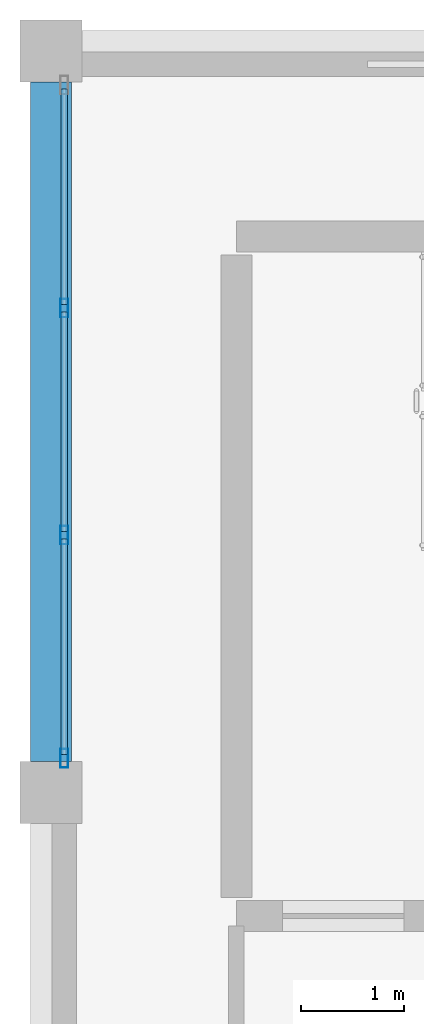
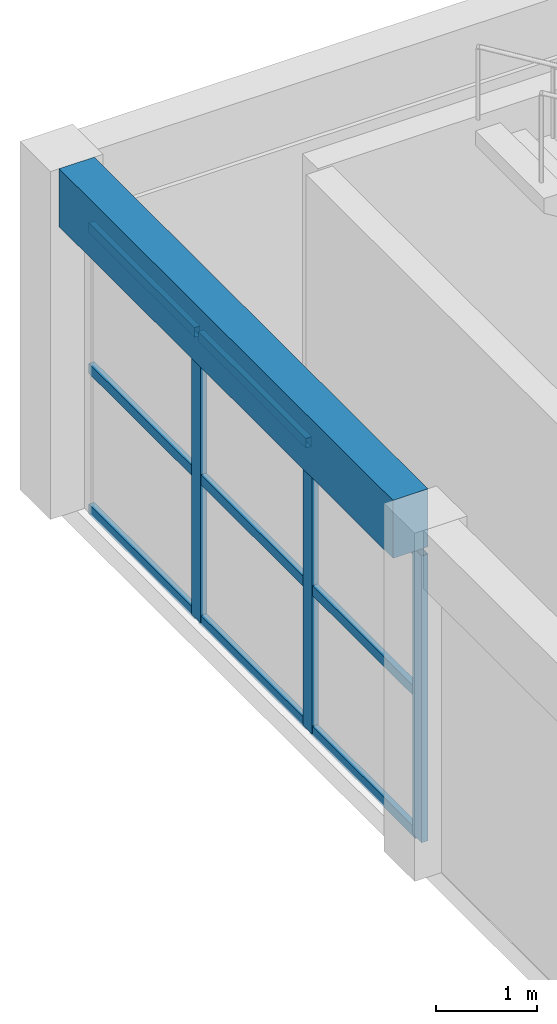
# One storey, part 80 of 153: 12 members, 1 beam, 1 element without a shape of its own.
"""IFC4 building model written with IfcOpenShell, lengths in metres."""

from ifc_helpers import new_model, si_unit, direction, frame, origin, origin_2d, place, context, subcontext, project, spatial, rectangle, hollow_rectangle, extrude, material, material_profile, profile_set, type_object, element, aggregate, save


model = new_model("IFC4")

# Units and contexts
model_context = context("Model", 3, precision=1e-05, world=origin(), true_north=direction((0.0, 1.0)))
body_context = subcontext(model_context, "Body", "Model", "MODEL_VIEW")
ifc_project = project(units=[si_unit("LENGTHUNIT", "METRE"), si_unit("AREAUNIT", "SQUARE_METRE"), si_unit("VOLUMEUNIT", "CUBIC_METRE"), si_unit("PLANEANGLEUNIT", "RADIAN"), si_unit("MASSUNIT", "GRAM", prefix="KILO")], contexts=[model_context])

# Site, building, storey
site_placement = place(None, origin())
site = spatial("IfcSite", under=ifc_project, at=site_placement, CompositionType="ELEMENT")
building_placement = place(site_placement, origin())
building = spatial("IfcBuilding", under=site, at=building_placement, Name="Bramvelor Terrace Health Centre", CompositionType="ELEMENT")
storey_placement = place(building_placement, frame((0.0, 0.0, 4.800048828125)))
storey = spatial("IfcBuildingStorey", under=building, at=storey_placement, Name="L02", CompositionType="ELEMENT", Elevation=4.800048828125)

# Beam
ifc_material_1 = material(Name="Concrete C40/50", Category="concrete")
ifc_material_profile_1 = material_profile(ifc_material_1, rectangle(XDim=0.39990234375, YDim=0.699951171875, at=origin_2d()), Name="RC 400x700")
ifc_profile_set_1 = profile_set([ifc_material_profile_1], Name="Concrete C40/50")
beam_type = type_object("IfcBeamType", Name="BM-RC-SP700-EXT", PredefinedType="SPANDREL", material=ifc_profile_set_1)
beam_placement = place(storey_placement, frame((0.0, 108.300048828125, 3.849853515625), z_axis=(0.0, 1.0, 0.0), x_axis=(-1.0, 0.0, 0.0)))
element("IfcBeam", 1, at=beam_placement, inside=storey, type_object=beam_type, Name="L02 Floor Girder", PredefinedType="SPANDREL", context=body_context, shape_type="SweptSolid", body=[
    extrude(rectangle(XDim=0.39990234375, YDim=0.699951171875, at=origin_2d()), origin(), (0.0, 0.0, 1.0), 6.599853515625),
])

# Curtain wall, members
ifc_material_2 = material(Name="Anodized aluminium and double low-E glass", Category="aluminium")
curtain_wall_type = type_object("IfcCurtainWallType", Name="CW-SYS-13", PredefinedType="NOTDEFINED", material=ifc_material_2)
curtain_wall_placement = place(storey_placement, origin())
curtain_wall = element("IfcCurtainWall", 2, at=curtain_wall_placement, inside=storey, type_object=curtain_wall_type, Name="L02 Unitized Curtain Wall 79", PredefinedType="NOTDEFINED")
ifc_material_3 = material(Name="Anodized aluminium 6063-T6", Category="aluminium")
ifc_material_profile_2 = material_profile(ifc_material_3, hollow_rectangle(XDim=0.074951171875, YDim=0.179931640625, WallThickness=0.00341796875, at=origin_2d()), Name="ALU-MUL 75x180x3.5")
ifc_profile_set_2 = profile_set([ifc_material_profile_2], Name="Anodized aluminium 6063-T6")
member_type_1 = type_object("IfcMemberType", Name="CW-MUL-65x180", PredefinedType="MULLION", material=ifc_profile_set_2)
member_1_placement = place(storey_placement, frame((0.1298828125, 108.33251953125, 0.0), z_axis=(0.0, 0.0, 1.0), x_axis=(-1.0, 0.0, 0.0)))
member_1 = element("IfcMember", 3, at=member_1_placement, type_object=member_type_1, Name="CW-13 mullion 1", PredefinedType="MULLION", context=body_context, shape_type="SweptSolid", body=[
    extrude(hollow_rectangle(XDim=0.074951171875, YDim=0.179931640625, WallThickness=0.00341796875, at=origin_2d()), origin(), (0.0, 0.0, 1.0), 3.4599609375),
])
member_2_placement = place(storey_placement, frame((0.1298828125, 110.498291015625, 0.0), z_axis=(0.0, 0.0, 1.0), x_axis=(-1.0, 0.0, 0.0)))
member_2 = element("IfcMember", 4, at=member_2_placement, type_object=member_type_1, Name="CW-13 mullion 2", PredefinedType="MULLION", context=body_context, shape_type="SweptSolid", body=[
    extrude(hollow_rectangle(XDim=0.074951171875, YDim=0.179931640625, WallThickness=0.00341796875, at=origin_2d()), origin(), (0.0, 0.0, 1.0), 3.4599609375),
])
member_3_placement = place(storey_placement, frame((0.1298828125, 112.70166015625, 0.0), z_axis=(0.0, 0.0, 1.0), x_axis=(-1.0, 0.0, 0.0)))
member_3 = element("IfcMember", 5, at=member_3_placement, type_object=member_type_1, Name="CW-13 mullion 3", PredefinedType="MULLION", context=body_context, shape_type="SweptSolid", body=[
    extrude(hollow_rectangle(XDim=0.074951171875, YDim=0.179931640625, WallThickness=0.00341796875, at=origin_2d()), origin(), (0.0, 0.0, 1.0), 3.4599609375),
])
ifc_material_4 = material(Name="Anodized aluminium 6063-T6", Category="aluminium")
ifc_material_profile_3 = material_profile(ifc_material_4, hollow_rectangle(XDim=0.06494140625, YDim=0.1201171875, WallThickness=0.0029296875, at=origin_2d()), Name="ALU-TRN 65x120x3.0")
ifc_profile_set_3 = profile_set([ifc_material_profile_3], Name="Anodized aluminium 6063-T6")
member_type_2 = type_object("IfcMemberType", Name="CW-TRN-65x150", PredefinedType="USERDEFINED", material=ifc_profile_set_3)
member_4_placement = place(storey_placement, frame((0.1298828125, 108.3701171875, 0.032470703125), z_axis=(0.0, 1.0, 0.0), x_axis=(-1.0, 0.0, 0.0)))
member_4 = element("IfcMember", 6, at=member_4_placement, type_object=member_type_2, Name="CW-13 transom 1.1", ObjectType="TRANSOM", PredefinedType="USERDEFINED", context=body_context, shape_type="SweptSolid", body=[
    extrude(hollow_rectangle(XDim=0.06494140625, YDim=0.1201171875, WallThickness=0.0029296875, at=origin_2d()), origin(), (0.0, 0.0, 1.0), 2.0908203125),
])
member_5_placement = place(storey_placement, frame((0.1298828125, 108.3701171875, 1.72998046875), z_axis=(0.0, 1.0, 0.0), x_axis=(-1.0, 0.0, 0.0)))
member_5 = element("IfcMember", 7, at=member_5_placement, type_object=member_type_2, Name="CW-13 transom 1.2", ObjectType="TRANSOM", PredefinedType="USERDEFINED", context=body_context, shape_type="SweptSolid", body=[
    extrude(hollow_rectangle(XDim=0.06494140625, YDim=0.1201171875, WallThickness=0.0029296875, at=origin_2d()), origin(), (0.0, 0.0, 1.0), 2.0908203125),
])
member_6_placement = place(storey_placement, frame((0.1298828125, 108.3701171875, 3.427490234375), z_axis=(0.0, 1.0, 0.0), x_axis=(-1.0, 0.0, 0.0)))
member_6 = element("IfcMember", 8, at=member_6_placement, type_object=member_type_2, Name="CW-13 transom 1.3", ObjectType="TRANSOM", PredefinedType="USERDEFINED", context=body_context, shape_type="SweptSolid", body=[
    extrude(hollow_rectangle(XDim=0.06494140625, YDim=0.1201171875, WallThickness=0.0029296875, at=origin_2d()), origin(), (0.0, 0.0, 1.0), 2.0908203125),
])
member_7_placement = place(storey_placement, frame((0.1298828125, 110.535888671875, 0.032470703125), z_axis=(0.0, 1.0, 0.0), x_axis=(-1.0, 0.0, 0.0)))
member_7 = element("IfcMember", 9, at=member_7_placement, type_object=member_type_2, Name="CW-13 transom 2.1", ObjectType="TRANSOM", PredefinedType="USERDEFINED", context=body_context, shape_type="SweptSolid", body=[
    extrude(hollow_rectangle(XDim=0.06494140625, YDim=0.1201171875, WallThickness=0.0029296875, at=origin_2d()), origin(), (0.0, 0.0, 1.0), 2.128173828125),
])
member_8_placement = place(storey_placement, frame((0.1298828125, 110.535888671875, 1.72998046875), z_axis=(0.0, 1.0, 0.0), x_axis=(-1.0, 0.0, 0.0)))
member_8 = element("IfcMember", 10, at=member_8_placement, type_object=member_type_2, Name="CW-13 transom 2.2", ObjectType="TRANSOM", PredefinedType="USERDEFINED", context=body_context, shape_type="SweptSolid", body=[
    extrude(hollow_rectangle(XDim=0.06494140625, YDim=0.1201171875, WallThickness=0.0029296875, at=origin_2d()), origin(), (0.0, 0.0, 1.0), 2.128173828125),
])
member_9_placement = place(storey_placement, frame((0.1298828125, 110.535888671875, 3.427490234375), z_axis=(0.0, 1.0, 0.0), x_axis=(-1.0, 0.0, 0.0)))
member_9 = element("IfcMember", 11, at=member_9_placement, type_object=member_type_2, Name="CW-13 transom 2.3", ObjectType="TRANSOM", PredefinedType="USERDEFINED", context=body_context, shape_type="SweptSolid", body=[
    extrude(hollow_rectangle(XDim=0.06494140625, YDim=0.1201171875, WallThickness=0.0029296875, at=origin_2d()), origin(), (0.0, 0.0, 1.0), 2.128173828125),
])
member_10_placement = place(storey_placement, frame((0.1298828125, 112.7392578125, 0.032470703125), z_axis=(0.0, 1.0, 0.0), x_axis=(-1.0, 0.0, 0.0)))
member_10 = element("IfcMember", 12, at=member_10_placement, type_object=member_type_2, Name="CW-13 transom 3.1", ObjectType="TRANSOM", PredefinedType="USERDEFINED", context=body_context, shape_type="SweptSolid", body=[
    extrude(hollow_rectangle(XDim=0.06494140625, YDim=0.1201171875, WallThickness=0.0029296875, at=origin_2d()), origin(), (0.0, 0.0, 1.0), 2.0908203125),
])
member_11_placement = place(storey_placement, frame((0.1298828125, 112.7392578125, 1.72998046875), z_axis=(0.0, 1.0, 0.0), x_axis=(-1.0, 0.0, 0.0)))
member_11 = element("IfcMember", 13, at=member_11_placement, type_object=member_type_2, Name="CW-13 transom 3.2", ObjectType="TRANSOM", PredefinedType="USERDEFINED", context=body_context, shape_type="SweptSolid", body=[
    extrude(hollow_rectangle(XDim=0.06494140625, YDim=0.1201171875, WallThickness=0.0029296875, at=origin_2d()), origin(), (0.0, 0.0, 1.0), 2.0908203125),
])
member_12_placement = place(storey_placement, frame((0.1298828125, 112.7392578125, 3.427490234375), z_axis=(0.0, 1.0, 0.0), x_axis=(-1.0, 0.0, 0.0)))
member_12 = element("IfcMember", 14, at=member_12_placement, type_object=member_type_2, Name="CW-13 transom 3.3", ObjectType="TRANSOM", PredefinedType="USERDEFINED", context=body_context, shape_type="SweptSolid", body=[
    extrude(hollow_rectangle(XDim=0.06494140625, YDim=0.1201171875, WallThickness=0.0029296875, at=origin_2d()), origin(), (0.0, 0.0, 1.0), 2.0908203125),
])
aggregate(curtain_wall, [member_1, member_2, member_3, member_4, member_5, member_6, member_7, member_8, member_9, member_10, member_11, member_12])

save(model, "model.ifc")
